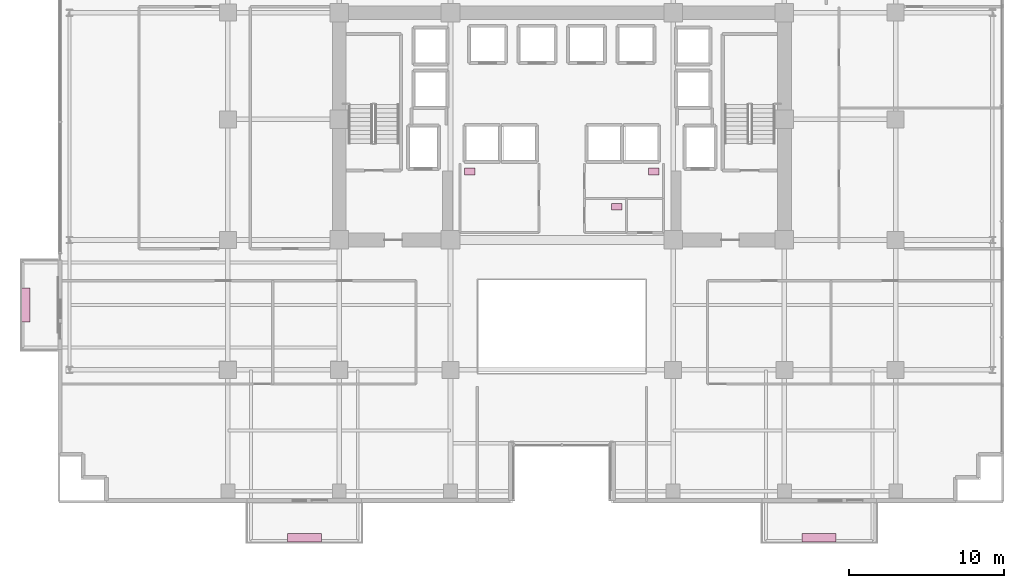
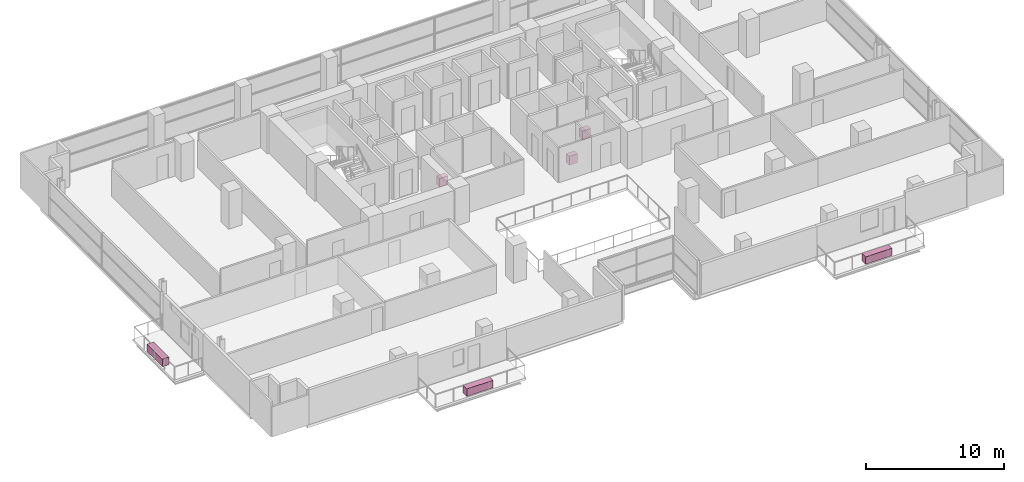
# One storey, part 30 of 30: 6 furnishings.
"""IFC4 building model written with IfcOpenShell, lengths in metres."""

import ifcopenshell
import ifcopenshell.guid

model = None  # the IFC model being written
_history = None  # IfcOwnerHistory: only IFC2X3 demands one
_inside = {}  # id of a spatial element -> (the spatial element, [elements in it])
_under = {}  # id of a project, library or spatial element -> (it, [spatial elements below it])
_declared = {}  # id of a project -> (the project, [libraries it declares])
_typed = {}  # id of a type object -> (the type object, [elements of that type])
_made_of = {}  # id of a material, layer set ... -> (it, [elements and type objects made of it])


def new_model(schema):
    """Start an empty IFC model of exactly this schema.

    Asked for "IFC4X3", IfcOpenShell would pick the latest addendum, in which some entities
    have other attributes; the version numbers below select the first issue.
    IFC2X3 requires an IfcOwnerHistory on every rooted entity: one is made here for all.
    """
    global model, _history
    if schema == "IFC4X3":
        model = ifcopenshell.file(schema_version=(4, 3, 0, 0))
    else:
        model = ifcopenshell.file(schema=schema)
    _inside.clear()
    _under.clear()
    _declared.clear()
    _typed.clear()
    _made_of.clear()
    _history = None
    if model.schema == "IFC2X3":
        org = make("IfcOrganization", Name="unknown")
        user = make(
            "IfcPersonAndOrganization",
            ThePerson=make("IfcPerson", FamilyName="unknown"),
            TheOrganization=org,
        )
        app = make(
            "IfcApplication",
            ApplicationDeveloper=org,
            Version="unknown",
            ApplicationFullName="unknown",
            ApplicationIdentifier="unknown",
        )
        _history = make(
            "IfcOwnerHistory",
            OwningUser=user,
            OwningApplication=app,
            ChangeAction="ADDED",
            CreationDate=0,
        )
    return model


def make(cls, **values):
    """One entity of the class cls with the attributes given. An attribute that is None is left unset."""
    return model.create_entity(
        cls, **{name: value for name, value in values.items() if value is not None}
    )


def rooted(cls, **values):
    """An entity with a GlobalId (a new one), such as an element, a storey or a relation."""
    return make(cls, GlobalId=ifcopenshell.guid.new(), OwnerHistory=_history, **values)


def si_unit(unit_type, name, prefix=None):
    """IfcSIUnit, for example si_unit("LENGTHUNIT", "METRE", prefix="MILLI")."""
    return make("IfcSIUnit", UnitType=unit_type, Prefix=prefix, Name=name)


def assignment(units):
    """IfcUnitAssignment: the units of a project."""
    return None if units is None else make("IfcUnitAssignment", Units=units)


def point(xyz):
    """IfcCartesianPoint."""
    return None if xyz is None else make("IfcCartesianPoint", Coordinates=xyz)


def direction(xyz):
    """IfcDirection."""
    return None if xyz is None else make("IfcDirection", DirectionRatios=xyz)


def frame(location, z_axis=None, x_axis=None):
    """IfcAxis2Placement3D, a coordinate frame: its origin and axes. An axis left out is left unset."""
    return make(
        "IfcAxis2Placement3D",
        Location=point(location),
        Axis=direction(z_axis),
        RefDirection=direction(x_axis),
    )


def frame_2d(location, x_axis=None):
    """IfcAxis2Placement2D, a coordinate frame in the plane: its origin and x axis."""
    return make(
        "IfcAxis2Placement2D", Location=point(location), RefDirection=direction(x_axis)
    )


def origin():
    """The frame at (0, 0, 0) with its axes left unset."""
    return frame((0.0, 0.0, 0.0))


def origin_2d():
    """The frame at (0, 0) in the plane with its x axis left unset."""
    return frame_2d((0.0, 0.0))


def place(relative_to, where):
    """IfcLocalPlacement: puts the frame where relative to a parent placement (None: the world)."""
    return make(
        "IfcLocalPlacement", PlacementRelTo=relative_to, RelativePlacement=where
    )


def context(
    kind, dimensions, precision=None, world=None, true_north=None, identifier=None
):
    """IfcGeometricRepresentationContext, for example the 3D "Model" context."""
    return make(
        "IfcGeometricRepresentationContext",
        ContextIdentifier=identifier,
        ContextType=kind,
        CoordinateSpaceDimension=dimensions,
        Precision=precision,
        WorldCoordinateSystem=world,
        TrueNorth=true_north,
    )


def subcontext(parent, identifier, kind, view, scale=None):
    """IfcGeometricRepresentationSubContext, for example "Body" below "Model"."""
    return make(
        "IfcGeometricRepresentationSubContext",
        ContextIdentifier=identifier,
        ContextType=kind,
        ParentContext=parent,
        TargetScale=scale,
        TargetView=view,
    )


def project(units=None, contexts=None):
    """IfcProject with its units and contexts."""
    return rooted(
        "IfcProject",
        Name="project",
        RepresentationContexts=contexts,
        UnitsInContext=assignment(units),
    )


def spatial(cls, under=None, at=None, **own):
    """A site, building, storey or space (cls), placed at a placement, below another one or the project."""
    s = rooted(cls, ObjectPlacement=at, **own)
    if under is not None:
        _under.setdefault(under.id(), (under, []))[1].append(s)
    return s


def profile(cls, at=None, kind="AREA", **sizes):
    """A parametric profile (cls). Its sizes go by their IFC names, for example OverallWidth=200.0."""
    return make(cls, ProfileType=kind, Position=at, **sizes)


def rectangle(**sizes):
    """IfcRectangleProfileDef."""
    return profile("IfcRectangleProfileDef", **sizes)


def extrude(swept, where, along, depth):
    """IfcExtrudedAreaSolid: the profile swept, set in the frame where, extruded along a direction by depth."""
    return make(
        "IfcExtrudedAreaSolid",
        SweptArea=swept,
        Position=where,
        ExtrudedDirection=direction(along),
        Depth=depth,
    )


def shape(context_of_items, identifier, shape_type, items):
    """IfcShapeRepresentation: the items that make up one representation, for example the "Body"."""
    return make(
        "IfcShapeRepresentation",
        ContextOfItems=context_of_items,
        RepresentationIdentifier=identifier,
        RepresentationType=shape_type,
        Items=items,
    )


def source(mapping_origin, context_of_items, identifier, shape_type, items):
    """IfcRepresentationMap: a shape defined once, which mapped items show again and again."""
    return make(
        "IfcRepresentationMap",
        MappingOrigin=mapping_origin,
        MappedRepresentation=shape(context_of_items, identifier, shape_type, items),
    )


def transform(
    local_origin,
    x_axis=None,
    y_axis=None,
    z_axis=None,
    scale=None,
    scale2=None,
    scale3=None,
    uniform=True,
):
    """IfcCartesianTransformationOperator3D, or its non-uniform kind. x_axis, y_axis, z_axis: its Axis1, 2, 3."""
    if uniform:
        return make(
            "IfcCartesianTransformationOperator3D",
            Axis1=direction(x_axis),
            Axis2=direction(y_axis),
            LocalOrigin=point(local_origin),
            Scale=scale,
            Axis3=direction(z_axis),
        )
    return make(
        "IfcCartesianTransformationOperator3DnonUniform",
        Axis1=direction(x_axis),
        Axis2=direction(y_axis),
        LocalOrigin=point(local_origin),
        Scale=scale,
        Axis3=direction(z_axis),
        Scale2=scale2,
        Scale3=scale3,
    )


def mapped(mapping_source, mapping_target):
    """IfcMappedItem: shows the shape of a source again, moved by a transform."""
    return make(
        "IfcMappedItem", MappingSource=mapping_source, MappingTarget=mapping_target
    )


def material(Name=None, Category=None):
    """IfcMaterial."""
    return make("IfcMaterial", Name=Name, Category=Category)


def made_of(thing, what):
    """Note that an element or type object is made of a material, layer set ...; save() writes the relation."""
    if what is not None:
        _made_of.setdefault(what.id(), (what, []))[1].append(thing)
    return thing


def type_object(cls, material=None, **own):
    """A type object (cls), such as IfcWallType, which elements share."""
    return made_of(rooted(cls, **own), material)


def element(
    cls,
    number,
    at=None,
    inside=None,
    cuts=None,
    type_object=None,
    material=None,
    context=None,
    identifier="Body",
    shape_type=None,
    held_by="IfcProductDefinitionShape",
    body=None,
    shapes=None,
    **own,
):
    """One element of the class cls, such as IfcWall. Its Tag is "e" and its number.

    at: its placement. inside: the storey or other place that contains it. cuts: it is an
    opening in that element (IfcRelVoidsElement). A single representation is given by context,
    identifier, shape_type and body (its items); several are given by shapes. held_by: the class
    of the entity that holds the representations. save() writes the other relations.
    """
    e = rooted(cls, Tag="e%d" % number, ObjectPlacement=at, **own)
    if body is not None:
        shapes = [shape(context, identifier, shape_type, body)]
    if shapes is not None:
        e.Representation = make(held_by, Representations=shapes)
    if inside is not None:
        _inside.setdefault(inside.id(), (inside, []))[1].append(e)
    if cuts is not None:
        rooted(
            "IfcRelVoidsElement", RelatingBuildingElement=cuts, RelatedOpeningElement=e
        )
    if type_object is not None:
        _typed.setdefault(type_object.id(), (type_object, []))[1].append(e)
    return made_of(e, material)


def aggregate(whole, parts):
    """IfcRelAggregates: a whole, such as a stair, and the parts it consists of."""
    return rooted("IfcRelAggregates", RelatingObject=whole, RelatedObjects=parts)


def save(model, path):
    """Write the relations noted so far, then the file.

    IfcRelAggregates (storeys below a building ...), IfcRelContainedInSpatialStructure (elements
    in a storey), IfcRelDefinesByType, IfcRelAssociatesMaterial and IfcRelDeclares: one each for
    every whole, place, type object, material and project.
    """
    for whole, parts in _under.values():
        aggregate(whole, parts)
    for where, things in _inside.values():
        rooted(
            "IfcRelContainedInSpatialStructure",
            RelatedElements=things,
            RelatingStructure=where,
        )
    for kind, things in _typed.values():
        rooted("IfcRelDefinesByType", RelatedObjects=things, RelatingType=kind)
    for what, things in _made_of.values():
        rooted("IfcRelAssociatesMaterial", RelatedObjects=things, RelatingMaterial=what)
    for by, libraries in _declared.values():
        rooted("IfcRelDeclares", RelatingContext=by, RelatedDefinitions=libraries)
    model.write(path)


model = new_model("IFC4")

# Units and contexts
model_context = context("Model", 3, precision=1e-05, world=origin(), true_north=direction((0.0, 1.0)))
body_context = subcontext(model_context, "Body", "Model", "MODEL_VIEW")
ifc_project = project(units=[si_unit("LENGTHUNIT", "METRE"), si_unit("AREAUNIT", "SQUARE_METRE"), si_unit("VOLUMEUNIT", "CUBIC_METRE"), si_unit("PLANEANGLEUNIT", "RADIAN"), si_unit("MASSUNIT", "GRAM", prefix="KILO")], contexts=[model_context])

# Site, building, storey
site_placement = place(None, origin())
site = spatial("IfcSite", under=ifc_project, at=site_placement, CompositionType="ELEMENT")
building_placement = place(site_placement, origin())
building = spatial("IfcBuilding", under=site, at=building_placement, Name="Zarnakvel Exchange Tower", CompositionType="ELEMENT")
storey_placement = place(building_placement, frame((0.0, 0.0, 40.60009765625)))
storey = spatial("IfcBuildingStorey", under=building, at=storey_placement, Name="L10", CompositionType="ELEMENT", Elevation=40.60009765625)

# Furnishings
ifc_material_1 = material(Name="Architectural Bronze Anodised Aluminium", Category="aluminium")
furnishing_element_type_1 = type_object("IfcFurnishingElementType", Name="PLNT-01", material=ifc_material_1)
shared_shape_1 = source(origin(), body_context, "Body", "SweptSolid", [
    extrude(rectangle(XDim=2.199951171875, YDim=0.550048828125, at=origin_2d()), origin(), (0.0, 0.0, 1.0), 0.64990234375),
])
for number, where, z_axis, x_axis, name in (
    (1, (-16.64990234375, -20.469970703125, -0.03515625), (0.0, 0.0, 1.0), (1.0, 0.0, 0.0), "L10 Balcony Greenery Planter BAL-L10-SW"),
    (2, (16.64990234375, -20.469970703125, -0.03515625), (0.0, 0.0, 1.0), (1.0, 0.0, 0.0), "L10 Balcony Greenery Planter BAL-L10-SE"),
    (3, (-34.669921875, -5.39990234375, -0.03515625), (0.0, 0.0, 1.0), (0.0, 1.0, 0.0), "L10 Balcony Greenery Planter BAL-L10-W"),
):
    element("IfcFurnishingElement", number, at=place(storey_placement, frame(where, z_axis=z_axis, x_axis=x_axis)), inside=storey, type_object=furnishing_element_type_1, Name=name, ObjectType="PLANTER", context=body_context, shape_type="MappedRepresentation", body=[
        mapped(shared_shape_1, transform((0.0, 0.0, 0.0), x_axis=(1.0, 0.0, 0.0), y_axis=(0.0, 1.0, 0.0), z_axis=(0.0, 0.0, 1.0), scale=1.0)),
    ])
ifc_material_2 = material(Name="Vitreous China Sanitaryware", Category="ceramic")
furnishing_element_type_2 = type_object("IfcFurnishingElementType", Name="SAN-WC", material=ifc_material_2)
shared_shape_2 = source(origin(), body_context, "Body", "SweptSolid", [
    extrude(rectangle(XDim=0.699951171875, YDim=0.449951171875, at=origin_2d()), origin(), (0.0, 0.0, 1.0), 0.780029296875),
])
for number, where, z_axis, x_axis, name in (
    (4, (-5.949951171875, 3.22998046875, 0.0), (0.0, 0.0, 1.0), (1.0, 0.0, 0.0), "L10 Sanitary Fixture (Male Toilet)"),
    (5, (5.949951171875, 3.22998046875, 0.0), (0.0, 0.0, 1.0), (1.0, 0.0, 0.0), "L10 Sanitary Fixture (Female Toilet)"),
    (6, (3.550048828125, 0.949951171875, 0.0), (0.0, 0.0, 1.0), (1.0, 0.0, 0.0), "L10 Sanitary Fixture (Accessible Toilet)"),
):
    element("IfcFurnishingElement", number, at=place(storey_placement, frame(where, z_axis=z_axis, x_axis=x_axis)), inside=storey, type_object=furnishing_element_type_2, Name=name, ObjectType="SANITARY_FIXTURE", context=body_context, shape_type="MappedRepresentation", body=[
        mapped(shared_shape_2, transform((0.0, 0.0, 0.0), x_axis=(1.0, 0.0, 0.0), y_axis=(0.0, 1.0, 0.0), z_axis=(0.0, 0.0, 1.0), scale=1.0)),
    ])

save(model, "model.ifc")
